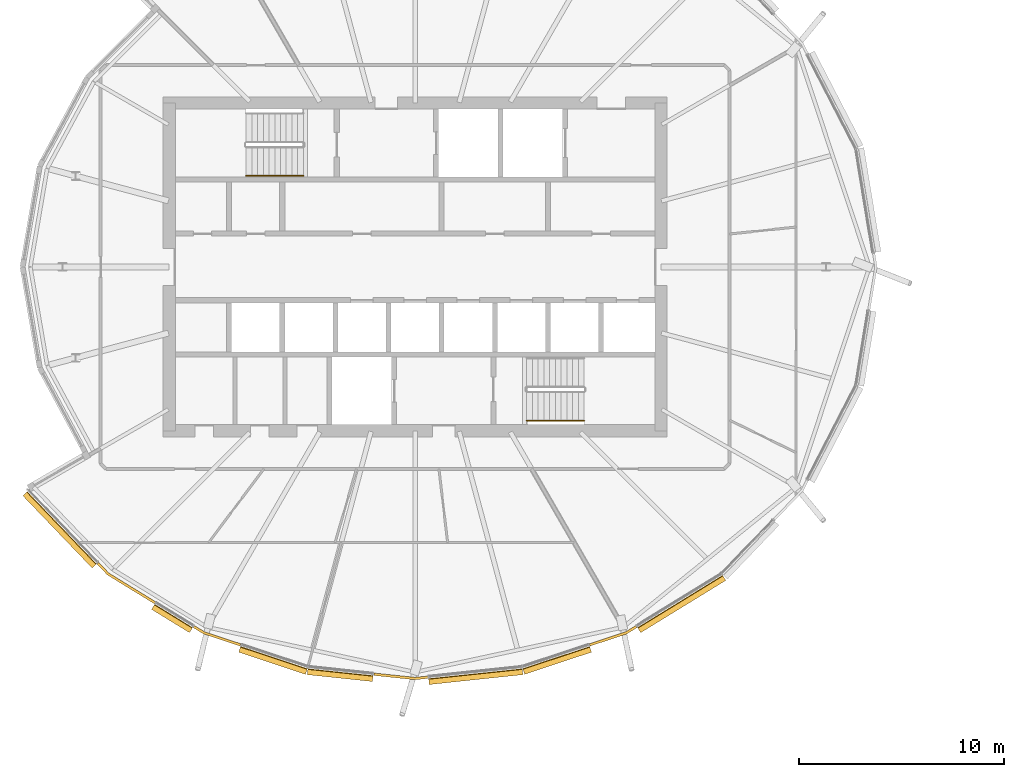
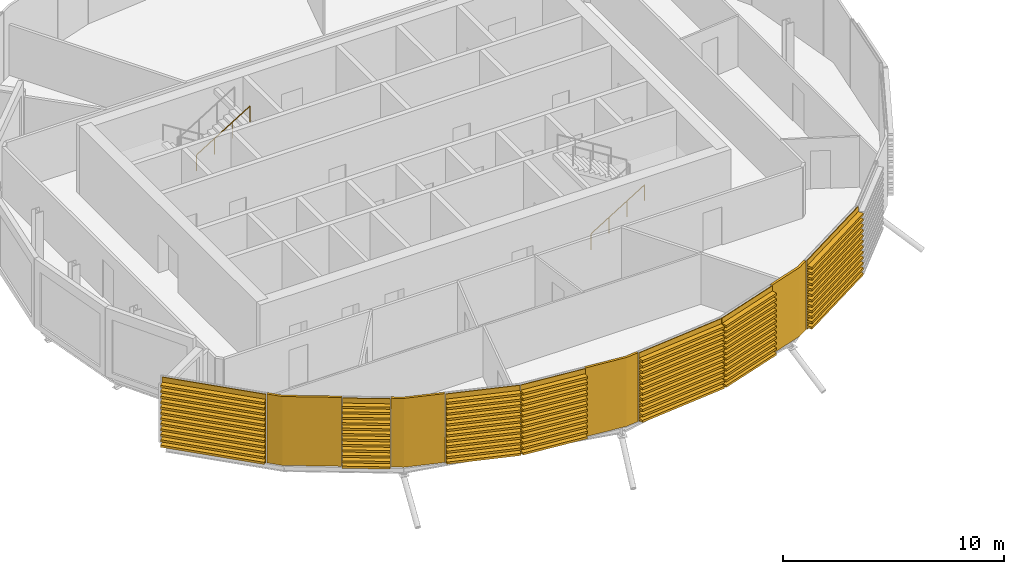
# One storey, part 32 of 37: 11 coverings, 2 railings.
"""IFC4 building model written with IfcOpenShell, lengths in metres."""

from ifc_helpers import new_model, si_unit, direction, frame, origin, origin_2d, place, context, subcontext, project, spatial, polyline, circle, outline, extrude, material, layer, layer_set, material_profile, profile_set, type_object, element, save


model = new_model("IFC4")

# Units and contexts
model_context = context("Model", 3, precision=1e-05, world=origin(), true_north=direction((0.0, 1.0)))
body_context = subcontext(model_context, "Body", "Model", "MODEL_VIEW")
ifc_project = project(units=[si_unit("LENGTHUNIT", "METRE"), si_unit("AREAUNIT", "SQUARE_METRE"), si_unit("VOLUMEUNIT", "CUBIC_METRE"), si_unit("PLANEANGLEUNIT", "RADIAN"), si_unit("MASSUNIT", "GRAM", prefix="KILO")], contexts=[model_context])

# Site, building, storey
site_placement = place(None, origin())
site = spatial("IfcSite", under=ifc_project, at=site_placement, CompositionType="ELEMENT")
building_placement = place(site_placement, origin())
building = spatial("IfcBuilding", under=site, at=building_placement, Name="Rimbun Link Towers", CompositionType="ELEMENT")
storey_placement = place(building_placement, frame((0.0, 0.0, 162.699951171875)))
storey = spatial("IfcBuildingStorey", under=building, at=storey_placement, Name="L39", CompositionType="ELEMENT", Elevation=162.699951171875)

# Coverings
ifc_material_1 = material(Name="Terracotta", Category="masonry")
ifc_layer = layer(ifc_material_1, 0.1201171875)
ifc_layer_set = layer_set([ifc_layer], Name="LINK PIER terracotta cladding 120")
covering_type_1 = type_object("IfcCoveringType", Name="LINK PIER terracotta cladding 120", PredefinedType="CLADDING", material=ifc_layer_set)
covering_1_placement = place(storey_placement, origin())
element("IfcCovering", 1, at=covering_1_placement, inside=storey, type_object=covering_type_1, Name="LINK PIER cladding", PredefinedType="CLADDING", context=body_context, shape_type="SweptSolid", body=[
    extrude(outline(polyline([(-44.41748046875, -16.33984375), (-46.692626953125, -14.942626953125), (-47.19091796875, -14.4228515625), (-47.277587890625, -14.506103515625), (-46.7685546875, -15.036865234375), (-44.480224609375, -16.442138671875), (-44.41748046875, -16.33984375)])), origin(), (0.0, 0.0, 1.0), 3.800048828125),
])
covering_2_placement = place(storey_placement, origin())
element("IfcCovering", 2, at=covering_2_placement, inside=storey, type_object=covering_type_1, Name="LINK PIER cladding", PredefinedType="CLADDING", context=body_context, shape_type="SweptSolid", body=[
    extrude(outline(polyline([(-40.255126953125, -18.393798828125), (-42.030029296875, -17.8056640625), (-42.515869140625, -17.50732421875), (-42.57861328125, -17.609619140625), (-42.0810546875, -17.9150390625), (-40.292724609375, -18.5078125), (-40.255126953125, -18.393798828125)])), origin(), (0.0, 0.0, 1.0), 3.800048828125),
])
covering_3_placement = place(storey_placement, origin())
element("IfcCovering", 3, at=covering_3_placement, inside=storey, type_object=covering_type_1, Name="LINK PIER cladding", PredefinedType="CLADDING", context=body_context, shape_type="SweptSolid", body=[
    extrude(outline(polyline([(-31.13330078125, -19.967041015625), (-31.75, -20.031982421875), (-33.7587890625, -19.820556640625), (-33.771484375, -19.93994140625), (-31.75, -20.15283203125), (-31.120849609375, -20.08642578125), (-31.13330078125, -19.967041015625)])), origin(), (0.0, 0.0, 1.0), 3.800048828125),
])
covering_4_placement = place(storey_placement, origin())
element("IfcCovering", 4, at=covering_4_placement, inside=storey, type_object=covering_type_1, Name="LINK PIER cladding", PredefinedType="CLADDING", context=body_context, shape_type="SweptSolid", body=[
    extrude(outline(polyline([(-20.984130859375, -17.50732421875), (-21.469970703125, -17.8056640625), (-23.244873046875, -18.393798828125), (-23.207275390625, -18.5078125), (-21.4189453125, -17.9150390625), (-20.92138671875, -17.609619140625), (-20.984130859375, -17.50732421875)])), origin(), (0.0, 0.0, 1.0), 3.800048828125),
])

# Railings
ifc_material_2 = material(Name="Stainless steel grade 316", Category="steel")
railing_type = type_object("IfcRailingType", Name="Stair handrail", PredefinedType="HANDRAIL", material=ifc_material_2)
for number, where, name in (
    (5, (-40.0, 4.449951171875, 2.07275390625), "L39 ST1 stair handrail 2"),
    (6, (-26.300048828125, -7.5, 0.1728515625), "L39 ST2 stair handrail 1"),
):
    element("IfcRailing", number, at=place(storey_placement, frame(where)), inside=storey, type_object=railing_type, Name=name, PredefinedType="HANDRAIL", context=body_context, shape_type="SweptSolid", body=[
        extrude(circle(Radius=0.02392578125, at=origin_2d()), frame((0.0, 0.0, 0.8759765625), z_axis=(0.851089632645, 0.0, 0.525020415988), x_axis=(0.0, 1.0, 0.0)), (0.0, 0.0, 1.0), 3.2900390625),
        extrude(circle(Radius=0.02099609375, at=origin_2d()), origin(), (0.0, 0.0, 1.0), 0.851806640625),
        extrude(circle(Radius=0.02099609375, at=origin_2d()), frame((0.933349609375, 0.0, 0.57568359375)), (0.0, 0.0, 1.0), 0.851806640625),
        extrude(circle(Radius=0.02099609375, at=origin_2d()), frame((1.86669921875, 0.0, 1.151611328125)), (0.0, 0.0, 1.0), 0.851806640625),
        extrude(circle(Radius=0.02099609375, at=origin_2d()), frame((2.800048828125, 0.0, 1.727294921875)), (0.0, 0.0, 1.0), 0.851806640625),
    ])

# Coverings
ifc_material_3 = material(Name="Terracotta", Category="masonry")
ifc_material_profile = material_profile(ifc_material_3, outline(polyline([(0.123046875, 0.0), (0.1630859375, 0.0), (0.1630859375, 0.10009765625), (0.423095703125, 0.10009765625), (0.423095703125, 0.219970703125), (0.1630859375, 0.219970703125), (0.1630859375, 0.39990234375), (0.423095703125, 0.39990234375), (0.423095703125, 0.52001953125), (0.1630859375, 0.52001953125), (0.1630859375, 0.699951171875), (0.423095703125, 0.699951171875), (0.423095703125, 0.820068359375), (0.1630859375, 0.820068359375), (0.1630859375, 1.0), (0.423095703125, 1.0), (0.423095703125, 1.1201171875), (0.1630859375, 1.1201171875), (0.1630859375, 1.300048828125), (0.423095703125, 1.300048828125), (0.423095703125, 1.419921875), (0.1630859375, 1.419921875), (0.1630859375, 1.60009765625), (0.423095703125, 1.60009765625), (0.423095703125, 1.719970703125), (0.1630859375, 1.719970703125), (0.1630859375, 1.89990234375), (0.423095703125, 1.89990234375), (0.423095703125, 2.02001953125), (0.1630859375, 2.02001953125), (0.1630859375, 2.199951171875), (0.423095703125, 2.199951171875), (0.423095703125, 2.320068359375), (0.1630859375, 2.320068359375), (0.1630859375, 2.5), (0.423095703125, 2.5), (0.423095703125, 2.6201171875), (0.1630859375, 2.6201171875), (0.1630859375, 2.800048828125), (0.423095703125, 2.800048828125), (0.423095703125, 2.919921875), (0.1630859375, 2.919921875), (0.1630859375, 3.10009765625), (0.423095703125, 3.10009765625), (0.423095703125, 3.219970703125), (0.1630859375, 3.219970703125), (0.1630859375, 3.39990234375), (0.423095703125, 3.39990234375), (0.423095703125, 3.52001953125), (0.1630859375, 3.52001953125), (0.1630859375, 3.800048828125), (0.123046875, 3.800048828125), (0.123046875, 0.0)])), Name="BAGUETTE 120X300")
ifc_profile_set = profile_set([ifc_material_profile], Name="Terracotta")
covering_type_2 = type_object("IfcCoveringType", Name="TERRACOTTA BAGUETTE 120X300 H3800", PredefinedType="CLADDING", material=ifc_profile_set)
covering_5_placement = place(storey_placement, frame((-47.211669921875, -14.4013671875, 0.0), z_axis=(-0.692046556377, 0.721852868532, 0.0), x_axis=(-0.721852868532, -0.692046556377, 0.0)))
element("IfcCovering", 7, at=covering_5_placement, inside=storey, type_object=covering_type_2, Name="TERRACOTTA BAGUETTE", PredefinedType="CLADDING", context=body_context, shape_type="SweptSolid", body=[
    extrude(outline(polyline([(0.123046875, 0.0), (0.1630859375, 0.0), (0.1630859375, 0.10009765625), (0.423095703125, 0.10009765625), (0.423095703125, 0.219970703125), (0.1630859375, 0.219970703125), (0.1630859375, 0.39990234375), (0.423095703125, 0.39990234375), (0.423095703125, 0.52001953125), (0.1630859375, 0.52001953125), (0.1630859375, 0.699951171875), (0.423095703125, 0.699951171875), (0.423095703125, 0.820068359375), (0.1630859375, 0.820068359375), (0.1630859375, 1.0), (0.423095703125, 1.0), (0.423095703125, 1.1201171875), (0.1630859375, 1.1201171875), (0.1630859375, 1.300048828125), (0.423095703125, 1.300048828125), (0.423095703125, 1.419921875), (0.1630859375, 1.419921875), (0.1630859375, 1.60009765625), (0.423095703125, 1.60009765625), (0.423095703125, 1.719970703125), (0.1630859375, 1.719970703125), (0.1630859375, 1.89990234375), (0.423095703125, 1.89990234375), (0.423095703125, 2.02001953125), (0.1630859375, 2.02001953125), (0.1630859375, 2.199951171875), (0.423095703125, 2.199951171875), (0.423095703125, 2.320068359375), (0.1630859375, 2.320068359375), (0.1630859375, 2.5), (0.423095703125, 2.5), (0.423095703125, 2.6201171875), (0.1630859375, 2.6201171875), (0.1630859375, 2.800048828125), (0.423095703125, 2.800048828125), (0.423095703125, 2.919921875), (0.1630859375, 2.919921875), (0.1630859375, 3.10009765625), (0.423095703125, 3.10009765625), (0.423095703125, 3.219970703125), (0.1630859375, 3.219970703125), (0.1630859375, 3.39990234375), (0.423095703125, 3.39990234375), (0.423095703125, 3.52001953125), (0.1630859375, 3.52001953125), (0.1630859375, 3.800048828125), (0.123046875, 3.800048828125), (0.123046875, 0.0)])), origin(), (0.0, 0.0, 1.0), 4.8818359375),
])
covering_6_placement = place(storey_placement, frame((-42.54150390625, -17.49169921875, 0.0), z_axis=(-0.852159790822, 0.523281655427, 0.0), x_axis=(-0.523281655427, -0.852159790822, 0.0)))
element("IfcCovering", 8, at=covering_6_placement, inside=storey, type_object=covering_type_2, Name="TERRACOTTA BAGUETTE", PredefinedType="CLADDING", context=body_context, shape_type="SweptSolid", body=[
    extrude(outline(polyline([(0.123046875, 0.0), (0.1630859375, 0.0), (0.1630859375, 0.10009765625), (0.423095703125, 0.10009765625), (0.423095703125, 0.219970703125), (0.1630859375, 0.219970703125), (0.1630859375, 0.39990234375), (0.423095703125, 0.39990234375), (0.423095703125, 0.52001953125), (0.1630859375, 0.52001953125), (0.1630859375, 0.699951171875), (0.423095703125, 0.699951171875), (0.423095703125, 0.820068359375), (0.1630859375, 0.820068359375), (0.1630859375, 1.0), (0.423095703125, 1.0), (0.423095703125, 1.1201171875), (0.1630859375, 1.1201171875), (0.1630859375, 1.300048828125), (0.423095703125, 1.300048828125), (0.423095703125, 1.419921875), (0.1630859375, 1.419921875), (0.1630859375, 1.60009765625), (0.423095703125, 1.60009765625), (0.423095703125, 1.719970703125), (0.1630859375, 1.719970703125), (0.1630859375, 1.89990234375), (0.423095703125, 1.89990234375), (0.423095703125, 2.02001953125), (0.1630859375, 2.02001953125), (0.1630859375, 2.199951171875), (0.423095703125, 2.199951171875), (0.423095703125, 2.320068359375), (0.1630859375, 2.320068359375), (0.1630859375, 2.5), (0.423095703125, 2.5), (0.423095703125, 2.6201171875), (0.1630859375, 2.6201171875), (0.1630859375, 2.800048828125), (0.423095703125, 2.800048828125), (0.423095703125, 2.919921875), (0.1630859375, 2.919921875), (0.1630859375, 3.10009765625), (0.423095703125, 3.10009765625), (0.423095703125, 3.219970703125), (0.1630859375, 3.219970703125), (0.1630859375, 3.39990234375), (0.423095703125, 3.39990234375), (0.423095703125, 3.52001953125), (0.1630859375, 3.52001953125), (0.1630859375, 3.800048828125), (0.123046875, 3.800048828125), (0.123046875, 0.0)])), origin(), (0.0, 0.0, 1.0), 2.17138671875),
])
covering_7_placement = place(storey_placement, frame((-36.97021484375, -19.482421875, 0.0), z_axis=(-0.949236945708, 0.314561950819, 0.0), x_axis=(-0.314561950819, -0.949236945708, 0.0)))
element("IfcCovering", 9, at=covering_7_placement, inside=storey, type_object=covering_type_2, Name="TERRACOTTA BAGUETTE", PredefinedType="CLADDING", context=body_context, shape_type="SweptSolid", body=[
    extrude(outline(polyline([(0.123046875, 0.0), (0.1630859375, 0.0), (0.1630859375, 0.10009765625), (0.423095703125, 0.10009765625), (0.423095703125, 0.219970703125), (0.1630859375, 0.219970703125), (0.1630859375, 0.39990234375), (0.423095703125, 0.39990234375), (0.423095703125, 0.52001953125), (0.1630859375, 0.52001953125), (0.1630859375, 0.699951171875), (0.423095703125, 0.699951171875), (0.423095703125, 0.820068359375), (0.1630859375, 0.820068359375), (0.1630859375, 1.0), (0.423095703125, 1.0), (0.423095703125, 1.1201171875), (0.1630859375, 1.1201171875), (0.1630859375, 1.300048828125), (0.423095703125, 1.300048828125), (0.423095703125, 1.419921875), (0.1630859375, 1.419921875), (0.1630859375, 1.60009765625), (0.423095703125, 1.60009765625), (0.423095703125, 1.719970703125), (0.1630859375, 1.719970703125), (0.1630859375, 1.89990234375), (0.423095703125, 1.89990234375), (0.423095703125, 2.02001953125), (0.1630859375, 2.02001953125), (0.1630859375, 2.199951171875), (0.423095703125, 2.199951171875), (0.423095703125, 2.320068359375), (0.1630859375, 2.320068359375), (0.1630859375, 2.5), (0.423095703125, 2.5), (0.423095703125, 2.6201171875), (0.1630859375, 2.6201171875), (0.1630859375, 2.800048828125), (0.423095703125, 2.800048828125), (0.423095703125, 2.919921875), (0.1630859375, 2.919921875), (0.1630859375, 3.10009765625), (0.423095703125, 3.10009765625), (0.423095703125, 3.219970703125), (0.1630859375, 3.219970703125), (0.1630859375, 3.39990234375), (0.423095703125, 3.39990234375), (0.423095703125, 3.52001953125), (0.1630859375, 3.52001953125), (0.1630859375, 3.800048828125), (0.123046875, 3.800048828125), (0.123046875, 0.0)])), origin(), (0.0, 0.0, 1.0), 3.430419921875),
])
covering_8_placement = place(storey_placement, frame((-33.788818359375, -19.8173828125, 0.0), z_axis=(-0.994502943543, 0.104708620869, 0.0), x_axis=(-0.104708620869, -0.994502943543, 0.0)))
element("IfcCovering", 10, at=covering_8_placement, inside=storey, type_object=covering_type_2, Name="TERRACOTTA BAGUETTE", PredefinedType="CLADDING", context=body_context, shape_type="SweptSolid", body=[
    extrude(outline(polyline([(0.123046875, 0.0), (0.1630859375, 0.0), (0.1630859375, 0.10009765625), (0.423095703125, 0.10009765625), (0.423095703125, 0.219970703125), (0.1630859375, 0.219970703125), (0.1630859375, 0.39990234375), (0.423095703125, 0.39990234375), (0.423095703125, 0.52001953125), (0.1630859375, 0.52001953125), (0.1630859375, 0.699951171875), (0.423095703125, 0.699951171875), (0.423095703125, 0.820068359375), (0.1630859375, 0.820068359375), (0.1630859375, 1.0), (0.423095703125, 1.0), (0.423095703125, 1.1201171875), (0.1630859375, 1.1201171875), (0.1630859375, 1.300048828125), (0.423095703125, 1.300048828125), (0.423095703125, 1.419921875), (0.1630859375, 1.419921875), (0.1630859375, 1.60009765625), (0.423095703125, 1.60009765625), (0.423095703125, 1.719970703125), (0.1630859375, 1.719970703125), (0.1630859375, 1.89990234375), (0.423095703125, 1.89990234375), (0.423095703125, 2.02001953125), (0.1630859375, 2.02001953125), (0.1630859375, 2.199951171875), (0.423095703125, 2.199951171875), (0.423095703125, 2.320068359375), (0.1630859375, 2.320068359375), (0.1630859375, 2.5), (0.423095703125, 2.5), (0.423095703125, 2.6201171875), (0.1630859375, 2.6201171875), (0.1630859375, 2.800048828125), (0.423095703125, 2.800048828125), (0.423095703125, 2.919921875), (0.1630859375, 2.919921875), (0.1630859375, 3.10009765625), (0.423095703125, 3.10009765625), (0.423095703125, 3.219970703125), (0.1630859375, 3.219970703125), (0.1630859375, 3.39990234375), (0.423095703125, 3.39990234375), (0.423095703125, 3.52001953125), (0.1630859375, 3.52001953125), (0.1630859375, 3.800048828125), (0.123046875, 3.800048828125), (0.123046875, 0.0)])), origin(), (0.0, 0.0, 1.0), 3.198974609375),
])
covering_9_placement = place(storey_placement, frame((-26.52978515625, -19.482421875, 0.0), z_axis=(-0.994499924847, -0.104737287911, 0.0), x_axis=(0.104737287911, -0.994499924847, 0.0)))
element("IfcCovering", 11, at=covering_9_placement, inside=storey, type_object=covering_type_2, Name="TERRACOTTA BAGUETTE", PredefinedType="CLADDING", context=body_context, shape_type="SweptSolid", body=[
    extrude(outline(polyline([(0.123046875, 0.0), (0.1630859375, 0.0), (0.1630859375, 0.10009765625), (0.423095703125, 0.10009765625), (0.423095703125, 0.219970703125), (0.1630859375, 0.219970703125), (0.1630859375, 0.39990234375), (0.423095703125, 0.39990234375), (0.423095703125, 0.52001953125), (0.1630859375, 0.52001953125), (0.1630859375, 0.699951171875), (0.423095703125, 0.699951171875), (0.423095703125, 0.820068359375), (0.1630859375, 0.820068359375), (0.1630859375, 1.0), (0.423095703125, 1.0), (0.423095703125, 1.1201171875), (0.1630859375, 1.1201171875), (0.1630859375, 1.300048828125), (0.423095703125, 1.300048828125), (0.423095703125, 1.419921875), (0.1630859375, 1.419921875), (0.1630859375, 1.60009765625), (0.423095703125, 1.60009765625), (0.423095703125, 1.719970703125), (0.1630859375, 1.719970703125), (0.1630859375, 1.89990234375), (0.423095703125, 1.89990234375), (0.423095703125, 2.02001953125), (0.1630859375, 2.02001953125), (0.1630859375, 2.199951171875), (0.423095703125, 2.199951171875), (0.423095703125, 2.320068359375), (0.1630859375, 2.320068359375), (0.1630859375, 2.5), (0.423095703125, 2.5), (0.423095703125, 2.6201171875), (0.1630859375, 2.6201171875), (0.1630859375, 2.800048828125), (0.423095703125, 2.800048828125), (0.423095703125, 2.919921875), (0.1630859375, 2.919921875), (0.1630859375, 3.10009765625), (0.423095703125, 3.10009765625), (0.423095703125, 3.219970703125), (0.1630859375, 3.219970703125), (0.1630859375, 3.39990234375), (0.423095703125, 3.39990234375), (0.423095703125, 3.52001953125), (0.1630859375, 3.52001953125), (0.1630859375, 3.800048828125), (0.123046875, 3.800048828125), (0.123046875, 0.0)])), origin(), (0.0, 0.0, 1.0), 4.59912109375),
])
covering_10_placement = place(storey_placement, frame((-23.2734375, -18.4033203125, 0.0), z_axis=(-0.949236945708, -0.314561950819, 0.0), x_axis=(0.314561950819, -0.949236945708, 0.0)))
element("IfcCovering", 12, at=covering_10_placement, inside=storey, type_object=covering_type_2, Name="TERRACOTTA BAGUETTE", PredefinedType="CLADDING", context=body_context, shape_type="SweptSolid", body=[
    extrude(outline(polyline([(0.123046875, 0.0), (0.1630859375, 0.0), (0.1630859375, 0.10009765625), (0.423095703125, 0.10009765625), (0.423095703125, 0.219970703125), (0.1630859375, 0.219970703125), (0.1630859375, 0.39990234375), (0.423095703125, 0.39990234375), (0.423095703125, 0.52001953125), (0.1630859375, 0.52001953125), (0.1630859375, 0.699951171875), (0.423095703125, 0.699951171875), (0.423095703125, 0.820068359375), (0.1630859375, 0.820068359375), (0.1630859375, 1.0), (0.423095703125, 1.0), (0.423095703125, 1.1201171875), (0.1630859375, 1.1201171875), (0.1630859375, 1.300048828125), (0.423095703125, 1.300048828125), (0.423095703125, 1.419921875), (0.1630859375, 1.419921875), (0.1630859375, 1.60009765625), (0.423095703125, 1.60009765625), (0.423095703125, 1.719970703125), (0.1630859375, 1.719970703125), (0.1630859375, 1.89990234375), (0.423095703125, 1.89990234375), (0.423095703125, 2.02001953125), (0.1630859375, 2.02001953125), (0.1630859375, 2.199951171875), (0.423095703125, 2.199951171875), (0.423095703125, 2.320068359375), (0.1630859375, 2.320068359375), (0.1630859375, 2.5), (0.423095703125, 2.5), (0.423095703125, 2.6201171875), (0.1630859375, 2.6201171875), (0.1630859375, 2.800048828125), (0.423095703125, 2.800048828125), (0.423095703125, 2.919921875), (0.1630859375, 2.919921875), (0.1630859375, 3.10009765625), (0.423095703125, 3.10009765625), (0.423095703125, 3.219970703125), (0.1630859375, 3.219970703125), (0.1630859375, 3.39990234375), (0.423095703125, 3.39990234375), (0.423095703125, 3.52001953125), (0.1630859375, 3.52001953125), (0.1630859375, 3.800048828125), (0.123046875, 3.800048828125), (0.123046875, 0.0)])), origin(), (0.0, 0.0, 1.0), 3.430419921875),
])
covering_11_placement = place(storey_placement, frame((-16.807373046875, -14.942626953125, 0.0), z_axis=(-0.852158679137, -0.523283465792, 0.0), x_axis=(0.523283465792, -0.852158679137, 0.0)))
element("IfcCovering", 13, at=covering_11_placement, inside=storey, type_object=covering_type_2, Name="TERRACOTTA BAGUETTE", PredefinedType="CLADDING", context=body_context, shape_type="SweptSolid", body=[
    extrude(outline(polyline([(0.123046875, 0.0), (0.1630859375, 0.0), (0.1630859375, 0.10009765625), (0.423095703125, 0.10009765625), (0.423095703125, 0.219970703125), (0.1630859375, 0.219970703125), (0.1630859375, 0.39990234375), (0.423095703125, 0.39990234375), (0.423095703125, 0.52001953125), (0.1630859375, 0.52001953125), (0.1630859375, 0.699951171875), (0.423095703125, 0.699951171875), (0.423095703125, 0.820068359375), (0.1630859375, 0.820068359375), (0.1630859375, 1.0), (0.423095703125, 1.0), (0.423095703125, 1.1201171875), (0.1630859375, 1.1201171875), (0.1630859375, 1.300048828125), (0.423095703125, 1.300048828125), (0.423095703125, 1.419921875), (0.1630859375, 1.419921875), (0.1630859375, 1.60009765625), (0.423095703125, 1.60009765625), (0.423095703125, 1.719970703125), (0.1630859375, 1.719970703125), (0.1630859375, 1.89990234375), (0.423095703125, 1.89990234375), (0.423095703125, 2.02001953125), (0.1630859375, 2.02001953125), (0.1630859375, 2.199951171875), (0.423095703125, 2.199951171875), (0.423095703125, 2.320068359375), (0.1630859375, 2.320068359375), (0.1630859375, 2.5), (0.423095703125, 2.5), (0.423095703125, 2.6201171875), (0.1630859375, 2.6201171875), (0.1630859375, 2.800048828125), (0.423095703125, 2.800048828125), (0.423095703125, 2.919921875), (0.1630859375, 2.919921875), (0.1630859375, 3.10009765625), (0.423095703125, 3.10009765625), (0.423095703125, 3.219970703125), (0.1630859375, 3.219970703125), (0.1630859375, 3.39990234375), (0.423095703125, 3.39990234375), (0.423095703125, 3.52001953125), (0.1630859375, 3.52001953125), (0.1630859375, 3.800048828125), (0.123046875, 3.800048828125), (0.123046875, 0.0)])), origin(), (0.0, 0.0, 1.0), 4.871337890625),
])

save(model, "model.ifc")
